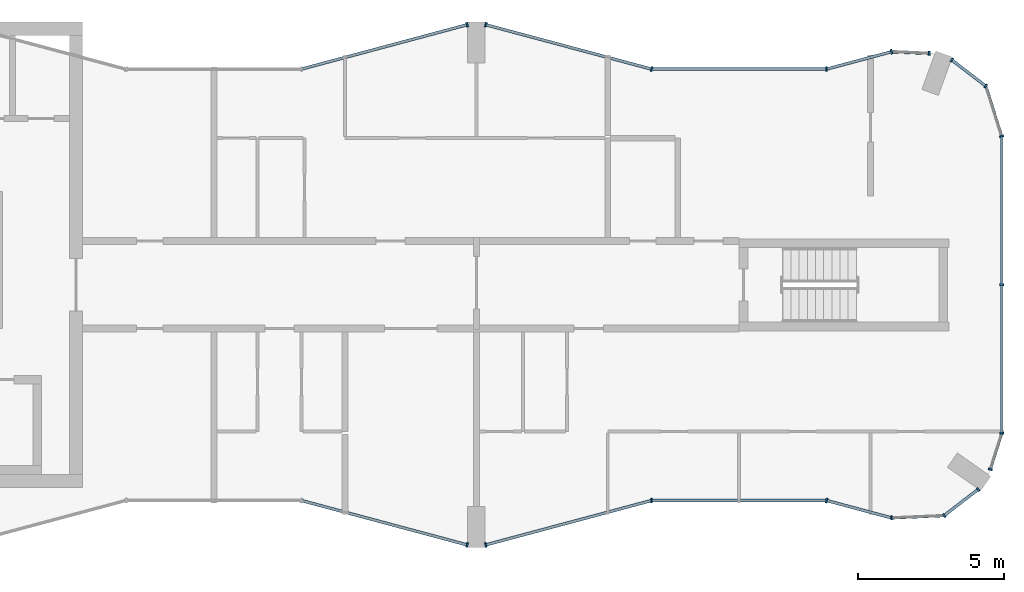
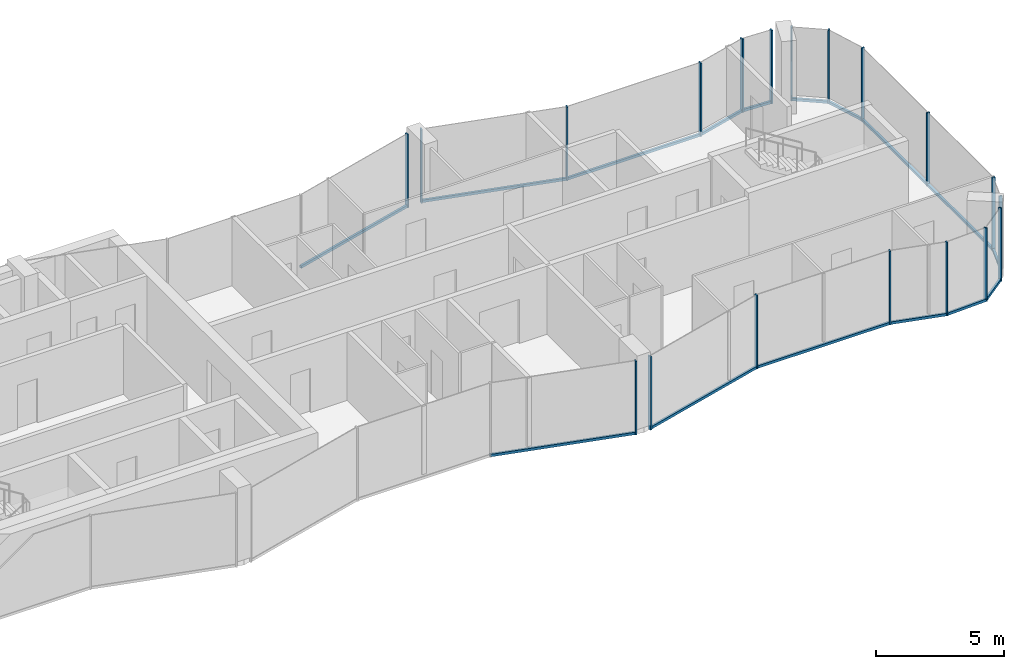
# One storey, part 5 of 10: 34 members, 15 elements without a shape of their own.
"""IFC4 building model written with IfcOpenShell, lengths in metres."""

from ifc_helpers import new_model, si_unit, direction, frame, origin, origin_2d, place, context, subcontext, project, spatial, rectangle, extrude, material, layer, layer_set, material_profile, profile_set, type_object, element, aggregate, save


model = new_model("IFC4")

# Units and contexts
model_context = context("Model", 3, precision=1e-05, world=origin(), true_north=direction((0.0, 1.0)))
body_context = subcontext(model_context, "Body", "Model", "MODEL_VIEW")
ifc_project = project(units=[si_unit("LENGTHUNIT", "METRE"), si_unit("AREAUNIT", "SQUARE_METRE"), si_unit("VOLUMEUNIT", "CUBIC_METRE"), si_unit("PLANEANGLEUNIT", "RADIAN"), si_unit("MASSUNIT", "GRAM", prefix="KILO")], contexts=[model_context])

# Site, building, storey
site_placement = place(None, origin())
site = spatial("IfcSite", under=ifc_project, at=site_placement, CompositionType="ELEMENT")
building_placement = place(site_placement, origin())
building = spatial("IfcBuilding", under=site, at=building_placement, Name="Plateau Cross Towers", CompositionType="ELEMENT")
storey_placement = place(building_placement, frame((0.0, 0.0, 273.89990234375)))
storey = spatial("IfcBuildingStorey", under=building, at=storey_placement, Name="L72", CompositionType="ELEMENT", Elevation=273.89990234375)

# Curtain wall, member
ifc_material_1 = material(Name="Dark low-iron glass", Category="glass")
ifc_layer_1 = layer(ifc_material_1, 0.239990234375)
ifc_layer_set_1 = layer_set([ifc_layer_1], Name="Dark low-iron glass")
curtain_wall_type_1 = type_object("IfcCurtainWallType", Name="Curtain wall flush unitised CW-B", PredefinedType="NOTDEFINED", material=ifc_layer_set_1)
curtain_wall_1_placement = place(storey_placement, origin())
curtain_wall_1 = element("IfcCurtainWall", 1, at=curtain_wall_1_placement, inside=storey, type_object=curtain_wall_type_1, Name="ENV/A/L72/A502_10", PredefinedType="NOTDEFINED")
ifc_material_2 = material(Name="Black anodised aluminium", Category="aluminium")
ifc_material_profile_1 = material_profile(ifc_material_2, rectangle(XDim=0.06005859375, YDim=0.139892578125, at=origin_2d()), Name="MULLION 60x140")
ifc_profile_set_1 = profile_set([ifc_material_profile_1], Name="Black anodised aluminium")
member_type_1 = type_object("IfcMemberType", Name="Mullion 60x140 flush unitised", PredefinedType="MULLION", material=ifc_profile_set_1)
member_1_placement = place(storey_placement, frame((50.223876953125, 1.01123046875, -0.25), z_axis=(0.0, 0.0, 1.0), x_axis=(0.999043701491, 0.043722791671, 0.0)))
member_1 = element("IfcMember", 2, at=member_1_placement, type_object=member_type_1, Name="CW-B mullion 1", PredefinedType="MULLION", context=body_context, shape_type="SweptSolid", body=[
    extrude(rectangle(XDim=0.06005859375, YDim=0.139892578125, at=origin_2d()), origin(), (0.0, 0.0, 1.0), 3.5),
])

# Curtain wall, members
curtain_wall_2_placement = place(storey_placement, origin())
curtain_wall_2 = element("IfcCurtainWall", 3, at=curtain_wall_2_placement, inside=storey, type_object=curtain_wall_type_1, Name="ENV/A/L72/A520_11", PredefinedType="NOTDEFINED")
member_2_placement = place(storey_placement, frame((52.0263671875, 1.090087890625, -0.25), z_axis=(0.0, 0.0, 1.0), x_axis=(0.793315514529, 0.608810721331, 0.0)))
member_2 = element("IfcMember", 4, at=member_2_placement, type_object=member_type_1, Name="CW-B mullion 1", PredefinedType="MULLION", context=body_context, shape_type="SweptSolid", body=[
    extrude(rectangle(XDim=0.06005859375, YDim=0.139892578125, at=origin_2d()), origin(), (0.0, 0.0, 1.0), 3.5),
])
member_3_placement = place(storey_placement, frame((53.193603515625, 1.986083984375, -0.25), z_axis=(0.0, 0.0, 1.0), x_axis=(0.793315514529, 0.608810721331, 0.0)))
member_3 = element("IfcMember", 5, at=member_3_placement, type_object=member_type_1, Name="CW-B mullion 2", PredefinedType="MULLION", context=body_context, shape_type="SweptSolid", body=[
    extrude(rectangle(XDim=0.06005859375, YDim=0.139892578125, at=origin_2d()), origin(), (0.0, 0.0, 1.0), 3.5),
])

# Curtain wall, member
curtain_wall_3_placement = place(storey_placement, origin())
curtain_wall_3 = element("IfcCurtainWall", 6, at=curtain_wall_3_placement, inside=storey, type_object=curtain_wall_type_1, Name="ENV/A/L72/A536_27", PredefinedType="NOTDEFINED")
member_4_placement = place(storey_placement, frame((53.611083984375, 2.67529296875, -0.25), z_axis=(0.0, 0.0, 1.0), x_axis=(0.300686174994, 0.95372313811, 0.0)))
member_4 = element("IfcMember", 7, at=member_4_placement, type_object=member_type_1, Name="CW-B mullion 1", PredefinedType="MULLION", context=body_context, shape_type="SweptSolid", body=[
    extrude(rectangle(XDim=0.06005859375, YDim=0.139892578125, at=origin_2d()), origin(), (0.0, 0.0, 1.0), 3.5),
])

# Curtain wall, members
curtain_wall_4_placement = place(storey_placement, origin())
curtain_wall_4 = element("IfcCurtainWall", 8, at=curtain_wall_4_placement, inside=storey, type_object=curtain_wall_type_1, Name="ENV/A/L72/A540_39", PredefinedType="NOTDEFINED")
member_5_placement = place(storey_placement, frame((54.0, 3.9091796875, -0.25), z_axis=(0.0, 0.0, 1.0), x_axis=(0.0, 1.0, 0.0)))
member_5 = element("IfcMember", 9, at=member_5_placement, type_object=member_type_1, Name="CW-B mullion 1", PredefinedType="MULLION", context=body_context, shape_type="SweptSolid", body=[
    extrude(rectangle(XDim=0.06005859375, YDim=0.139892578125, at=origin_2d()), origin(), (0.0, 0.0, 1.0), 3.5),
])
member_6_placement = place(storey_placement, frame((54.0, 9.0, -0.25), z_axis=(0.0, 0.0, 1.0), x_axis=(0.0, 1.0, 0.0)))
member_6 = element("IfcMember", 10, at=member_6_placement, type_object=member_type_1, Name="CW-B mullion 2", PredefinedType="MULLION", context=body_context, shape_type="SweptSolid", body=[
    extrude(rectangle(XDim=0.06005859375, YDim=0.139892578125, at=origin_2d()), origin(), (0.0, 0.0, 1.0), 3.5),
])

# Curtain wall, member
curtain_wall_5_placement = place(storey_placement, origin())
curtain_wall_5 = element("IfcCurtainWall", 11, at=curtain_wall_5_placement, inside=storey, type_object=curtain_wall_type_1, Name="ENV/A/L72/A540_141", PredefinedType="NOTDEFINED")
member_7_placement = place(storey_placement, frame((54.0, 14.0908203125, -0.25), z_axis=(0.0, 0.0, 1.0), x_axis=(-0.300686174994, 0.95372313811, 0.0)))
member_7 = element("IfcMember", 12, at=member_7_placement, type_object=member_type_1, Name="CW-B mullion 1", PredefinedType="MULLION", context=body_context, shape_type="SweptSolid", body=[
    extrude(rectangle(XDim=0.06005859375, YDim=0.139892578125, at=origin_2d()), origin(), (0.0, 0.0, 1.0), 3.5),
])

# Curtain wall, members
curtain_wall_6_placement = place(storey_placement, origin())
curtain_wall_6 = element("IfcCurtainWall", 13, at=curtain_wall_6_placement, inside=storey, type_object=curtain_wall_type_1, Name="ENV/A/L72/A535_158", PredefinedType="NOTDEFINED")
member_8_placement = place(storey_placement, frame((53.45751953125, 15.8115234375, -0.25), z_axis=(0.0, 0.0, 1.0), x_axis=(-0.793315514529, 0.608810721331, 0.0)))
member_8 = element("IfcMember", 14, at=member_8_placement, type_object=member_type_1, Name="CW-B mullion 1", PredefinedType="MULLION", context=body_context, shape_type="SweptSolid", body=[
    extrude(rectangle(XDim=0.06005859375, YDim=0.139892578125, at=origin_2d()), origin(), (0.0, 0.0, 1.0), 3.5),
])
member_9_placement = place(storey_placement, frame((52.290283203125, 16.707275390625, -0.25), z_axis=(0.0, 0.0, 1.0), x_axis=(-0.793315514529, 0.608810721331, 0.0)))
member_9 = element("IfcMember", 15, at=member_9_placement, type_object=member_type_1, Name="CW-B mullion 2", PredefinedType="MULLION", context=body_context, shape_type="SweptSolid", body=[
    extrude(rectangle(XDim=0.06005859375, YDim=0.139892578125, at=origin_2d()), origin(), (0.0, 0.0, 1.0), 3.5),
])

# Curtain wall, member
curtain_wall_7_placement = place(storey_placement, origin())
curtain_wall_7 = element("IfcCurtainWall", 16, at=curtain_wall_7_placement, inside=storey, type_object=curtain_wall_type_1, Name="ENV/A/L72/A515_169", PredefinedType="NOTDEFINED")
member_10_placement = place(storey_placement, frame((51.516357421875, 16.93212890625, -0.25), z_axis=(0.0, 0.0, 1.0), x_axis=(-0.999043701491, 0.043722791671, 0.0)))
member_10 = element("IfcMember", 17, at=member_10_placement, type_object=member_type_1, Name="CW-B mullion 1", PredefinedType="MULLION", context=body_context, shape_type="SweptSolid", body=[
    extrude(rectangle(XDim=0.06005859375, YDim=0.139892578125, at=origin_2d()), origin(), (0.0, 0.0, 1.0), 3.5),
])

ifc_layer_2 = layer(ifc_material_1, 0.260009765625)
ifc_layer_set_2 = layer_set([ifc_layer_2], Name="Dark low-iron glass")
curtain_wall_type_2 = type_object("IfcCurtainWallType", Name="Curtain wall fluted unitised CW-A", PredefinedType="NOTDEFINED", material=ifc_layer_set_2)
curtain_wall_8_placement = place(storey_placement, origin())
curtain_wall_8 = element("IfcCurtainWall", 18, at=curtain_wall_8_placement, inside=storey, type_object=curtain_wall_type_2, Name="ENV/A/L72/A300_16", PredefinedType="NOTDEFINED")
ifc_material_profile_2 = material_profile(ifc_material_2, rectangle(XDim=0.06005859375, YDim=0.159912109375, at=origin_2d()), Name="MULLION 60x160")
ifc_profile_set_2 = profile_set([ifc_material_profile_2], Name="Black anodised aluminium")
member_type_2 = type_object("IfcMemberType", Name="Mullion 60x160 fluted unitised", PredefinedType="MULLION", material=ifc_profile_set_2)
member_11_placement = place(storey_placement, frame((35.68212890625, 0.085205078125, -0.25), z_axis=(0.0, 0.0, 1.0), x_axis=(0.965957983404, -0.258699003279, 0.0)))
member_11 = element("IfcMember", 19, at=member_11_placement, type_object=member_type_2, Name="CW-A mullion 2", PredefinedType="MULLION", context=body_context, shape_type="SweptSolid", body=[
    extrude(rectangle(XDim=0.06005859375, YDim=0.159912109375, at=origin_2d()), origin(), (0.0, 0.0, 1.0), 3.5),
])

curtain_wall_9_placement = place(storey_placement, origin())
curtain_wall_9 = element("IfcCurtainWall", 20, at=curtain_wall_9_placement, inside=storey, type_object=curtain_wall_type_2, Name="ENV/A/L72/A363_1", PredefinedType="NOTDEFINED")
member_12_placement = place(storey_placement, frame((36.31787109375, 0.085205078125, -0.25), z_axis=(0.0, 0.0, 1.0), x_axis=(0.965957983404, 0.258699003279, 0.0)))
member_12 = element("IfcMember", 21, at=member_12_placement, type_object=member_type_2, Name="CW-A mullion 1", PredefinedType="MULLION", context=body_context, shape_type="SweptSolid", body=[
    extrude(rectangle(XDim=0.06005859375, YDim=0.159912109375, at=origin_2d()), origin(), (0.0, 0.0, 1.0), 3.5),
])

curtain_wall_10_placement = place(storey_placement, origin())
curtain_wall_10 = element("IfcCurtainWall", 22, at=curtain_wall_10_placement, inside=storey, type_object=curtain_wall_type_2, Name="ENV/A/L72/A420_16", PredefinedType="NOTDEFINED")
member_13_placement = place(storey_placement, frame((42.0, 1.60693359375, -0.25), z_axis=(0.0, 0.0, 1.0), x_axis=(1.0, 0.0, 0.0)))
member_13 = element("IfcMember", 23, at=member_13_placement, type_object=member_type_2, Name="CW-A mullion 1", PredefinedType="MULLION", context=body_context, shape_type="SweptSolid", body=[
    extrude(rectangle(XDim=0.06005859375, YDim=0.159912109375, at=origin_2d()), origin(), (0.0, 0.0, 1.0), 3.5),
])

curtain_wall_11_placement = place(storey_placement, origin())
curtain_wall_11 = element("IfcCurtainWall", 24, at=curtain_wall_11_placement, inside=storey, type_object=curtain_wall_type_2, Name="ENV/A/L72/A480_16", PredefinedType="NOTDEFINED")
member_14_placement = place(storey_placement, frame((48.0, 1.60693359375, -0.25), z_axis=(0.0, 0.0, 1.0), x_axis=(0.965957962328, -0.258699081978, 0.0)))
member_14 = element("IfcMember", 25, at=member_14_placement, type_object=member_type_2, Name="CW-A mullion 1", PredefinedType="MULLION", context=body_context, shape_type="SweptSolid", body=[
    extrude(rectangle(XDim=0.06005859375, YDim=0.159912109375, at=origin_2d()), origin(), (0.0, 0.0, 1.0), 3.5),
])

curtain_wall_12_placement = place(storey_placement, origin())
curtain_wall_12 = element("IfcCurtainWall", 26, at=curtain_wall_12_placement, inside=storey, type_object=curtain_wall_type_2, Name="ENV/A/L72/A502_170", PredefinedType="NOTDEFINED")
member_15_placement = place(storey_placement, frame((50.223876953125, 16.98876953125, -0.25), z_axis=(0.0, 0.0, 1.0), x_axis=(-0.965957962328, -0.258699081978, 0.0)))
member_15 = element("IfcMember", 27, at=member_15_placement, type_object=member_type_2, Name="CW-A mullion 1", PredefinedType="MULLION", context=body_context, shape_type="SweptSolid", body=[
    extrude(rectangle(XDim=0.06005859375, YDim=0.159912109375, at=origin_2d()), origin(), (0.0, 0.0, 1.0), 3.5),
])

curtain_wall_13_placement = place(storey_placement, origin())
curtain_wall_13 = element("IfcCurtainWall", 28, at=curtain_wall_13_placement, inside=storey, type_object=curtain_wall_type_2, Name="ENV/A/L72/A480_164", PredefinedType="NOTDEFINED")
member_16_placement = place(storey_placement, frame((48.0, 16.39306640625, -0.25), z_axis=(0.0, 0.0, 1.0), x_axis=(-1.0, 0.0, 0.0)))
member_16 = element("IfcMember", 29, at=member_16_placement, type_object=member_type_2, Name="CW-A mullion 1", PredefinedType="MULLION", context=body_context, shape_type="SweptSolid", body=[
    extrude(rectangle(XDim=0.06005859375, YDim=0.159912109375, at=origin_2d()), origin(), (0.0, 0.0, 1.0), 3.5),
])

# Curtain wall, members
curtain_wall_14_placement = place(storey_placement, origin())
curtain_wall_14 = element("IfcCurtainWall", 30, at=curtain_wall_14_placement, inside=storey, type_object=curtain_wall_type_2, Name="ENV/A/L72/A420_164", PredefinedType="NOTDEFINED")
member_17_placement = place(storey_placement, frame((42.0, 16.39306640625, -0.25), z_axis=(0.0, 0.0, 1.0), x_axis=(-0.965957983404, 0.258699003279, 0.0)))
member_17 = element("IfcMember", 31, at=member_17_placement, type_object=member_type_2, Name="CW-A mullion 1", PredefinedType="MULLION", context=body_context, shape_type="SweptSolid", body=[
    extrude(rectangle(XDim=0.06005859375, YDim=0.159912109375, at=origin_2d()), origin(), (0.0, 0.0, 1.0), 3.5),
])
member_18_placement = place(storey_placement, frame((36.31787109375, 17.914794921875, -0.25), z_axis=(0.0, 0.0, 1.0), x_axis=(-0.965957983404, 0.258699003279, 0.0)))
member_18 = element("IfcMember", 32, at=member_18_placement, type_object=member_type_2, Name="CW-A mullion 2", PredefinedType="MULLION", context=body_context, shape_type="SweptSolid", body=[
    extrude(rectangle(XDim=0.06005859375, YDim=0.159912109375, at=origin_2d()), origin(), (0.0, 0.0, 1.0), 3.5),
])

# Curtain wall, member
curtain_wall_15_placement = place(storey_placement, origin())
curtain_wall_15 = element("IfcCurtainWall", 33, at=curtain_wall_15_placement, inside=storey, type_object=curtain_wall_type_2, Name="ENV/A/L72/A357_179", PredefinedType="NOTDEFINED")
member_19_placement = place(storey_placement, frame((35.68212890625, 17.914794921875, -0.25), z_axis=(0.0, 0.0, 1.0), x_axis=(-0.965957983404, -0.258699003279, 0.0)))
member_19 = element("IfcMember", 34, at=member_19_placement, type_object=member_type_2, Name="CW-A mullion 1", PredefinedType="MULLION", context=body_context, shape_type="SweptSolid", body=[
    extrude(rectangle(XDim=0.06005859375, YDim=0.159912109375, at=origin_2d()), origin(), (0.0, 0.0, 1.0), 3.5),
])

# Member
ifc_material_profile_3 = material_profile(ifc_material_2, rectangle(XDim=0.10009765625, YDim=0.1201171875, at=origin_2d()), Name="TRANSOM 100x120")
ifc_profile_set_3 = profile_set([ifc_material_profile_3], Name="Black anodised aluminium")
member_type_3 = type_object("IfcMemberType", Name="Transom 100x120 flush unitised", PredefinedType="USERDEFINED", material=ifc_profile_set_3)
member_20_placement = place(storey_placement, frame((50.223876953125, 1.01123046875, -0.18994140625), z_axis=(0.999044377355, 0.043707345779, 0.0), x_axis=(-0.043707345779, 0.999044377355, 0.0)))
member_20 = element("IfcMember", 35, at=member_20_placement, type_object=member_type_3, Name="CW-B transom", ObjectType="TRANSOM", PredefinedType="USERDEFINED", context=body_context, shape_type="SweptSolid", body=[
    extrude(rectangle(XDim=0.10009765625, YDim=0.1201171875, at=origin_2d()), origin(), (0.0, 0.0, 1.0), 1.80419921875),
])

aggregate(curtain_wall_1, [member_1, member_20])

member_21_placement = place(storey_placement, frame((52.0263671875, 1.090087890625, -0.18994140625), z_axis=(0.793240368515, 0.608908628415, 0.0), x_axis=(-0.608908628415, 0.793240368515, 0.0)))
member_21 = element("IfcMember", 36, at=member_21_placement, type_object=member_type_3, Name="CW-B transom", ObjectType="TRANSOM", PredefinedType="USERDEFINED", context=body_context, shape_type="SweptSolid", body=[
    extrude(rectangle(XDim=0.10009765625, YDim=0.1201171875, at=origin_2d()), origin(), (0.0, 0.0, 1.0), 1.471435546875),
])

aggregate(curtain_wall_2, [member_2, member_3, member_21])

member_22_placement = place(storey_placement, frame((53.611083984375, 2.67529296875, -0.18994140625), z_axis=(0.300616528216, 0.953745093284, 0.0), x_axis=(-0.953745093284, 0.300616528216, 0.0)))
member_22 = element("IfcMember", 37, at=member_22_placement, type_object=member_type_3, Name="CW-B transom", ObjectType="TRANSOM", PredefinedType="USERDEFINED", context=body_context, shape_type="SweptSolid", body=[
    extrude(rectangle(XDim=0.10009765625, YDim=0.1201171875, at=origin_2d()), origin(), (0.0, 0.0, 1.0), 1.293701171875),
])

aggregate(curtain_wall_3, [member_4, member_22])

member_23_placement = place(storey_placement, frame((54.0, 3.9091796875, -0.18994140625), z_axis=(0.0, 1.0, 0.0), x_axis=(-1.0, 0.0, 0.0)))
member_23 = element("IfcMember", 38, at=member_23_placement, type_object=member_type_3, Name="CW-B transom", ObjectType="TRANSOM", PredefinedType="USERDEFINED", context=body_context, shape_type="SweptSolid", body=[
    extrude(rectangle(XDim=0.10009765625, YDim=0.1201171875, at=origin_2d()), origin(), (0.0, 0.0, 1.0), 10.181640625),
])

aggregate(curtain_wall_4, [member_5, member_6, member_23])

member_24_placement = place(storey_placement, frame((54.0, 14.0908203125, -0.18994140625), z_axis=(-0.30067799945, 0.953725715626, 0.0), x_axis=(-0.953725715626, -0.30067799945, 0.0)))
member_24 = element("IfcMember", 39, at=member_24_placement, type_object=member_type_3, Name="CW-B transom", ObjectType="TRANSOM", PredefinedType="USERDEFINED", context=body_context, shape_type="SweptSolid", body=[
    extrude(rectangle(XDim=0.10009765625, YDim=0.1201171875, at=origin_2d()), origin(), (0.0, 0.0, 1.0), 1.80419921875),
])

aggregate(curtain_wall_5, [member_7, member_24])

member_25_placement = place(storey_placement, frame((53.45751953125, 15.8115234375, -0.18994140625), z_axis=(-0.793320508571, 0.608804213751, 0.0), x_axis=(-0.608804213751, -0.793320508571, 0.0)))
member_25 = element("IfcMember", 40, at=member_25_placement, type_object=member_type_3, Name="CW-B transom", ObjectType="TRANSOM", PredefinedType="USERDEFINED", context=body_context, shape_type="SweptSolid", body=[
    extrude(rectangle(XDim=0.10009765625, YDim=0.1201171875, at=origin_2d()), origin(), (0.0, 0.0, 1.0), 1.471435546875),
])

aggregate(curtain_wall_6, [member_8, member_9, member_25])

member_26_placement = place(storey_placement, frame((51.516357421875, 16.93212890625, -0.18994140625), z_axis=(-0.999041144614, 0.043781175963, 0.0), x_axis=(-0.043781175963, -0.999041144614, 0.0)))
member_26 = element("IfcMember", 41, at=member_26_placement, type_object=member_type_3, Name="CW-B transom", ObjectType="TRANSOM", PredefinedType="USERDEFINED", context=body_context, shape_type="SweptSolid", body=[
    extrude(rectangle(XDim=0.10009765625, YDim=0.1201171875, at=origin_2d()), origin(), (0.0, 0.0, 1.0), 1.293701171875),
])

aggregate(curtain_wall_7, [member_10, member_26])

ifc_material_profile_4 = material_profile(ifc_material_2, rectangle(XDim=0.10009765625, YDim=0.1201171875, at=origin_2d()), Name="TRANSOM 100x120")
ifc_profile_set_4 = profile_set([ifc_material_profile_4], Name="Black anodised aluminium")
member_type_4 = type_object("IfcMemberType", Name="Transom 100x120 fluted unitised", PredefinedType="USERDEFINED", material=ifc_profile_set_4)
member_27_placement = place(storey_placement, frame((30.0, 1.60693359375, -0.18994140625), z_axis=(0.965959534794, -0.258693210465, 0.0), x_axis=(0.258693210465, 0.965959534794, 0.0)))
member_27 = element("IfcMember", 42, at=member_27_placement, type_object=member_type_4, Name="CW-A transom", ObjectType="TRANSOM", PredefinedType="USERDEFINED", context=body_context, shape_type="SweptSolid", body=[
    extrude(rectangle(XDim=0.10009765625, YDim=0.1201171875, at=origin_2d()), origin(), (0.0, 0.0, 1.0), 5.88232421875),
])

aggregate(curtain_wall_8, [member_11, member_27])

member_28_placement = place(storey_placement, frame((36.31787109375, 0.085205078125, -0.18994140625), z_axis=(0.965959534794, 0.258693210465, 0.0), x_axis=(-0.258693210465, 0.965959534794, 0.0)))
member_28 = element("IfcMember", 43, at=member_28_placement, type_object=member_type_4, Name="CW-A transom", ObjectType="TRANSOM", PredefinedType="USERDEFINED", context=body_context, shape_type="SweptSolid", body=[
    extrude(rectangle(XDim=0.10009765625, YDim=0.1201171875, at=origin_2d()), origin(), (0.0, 0.0, 1.0), 5.88232421875),
])

aggregate(curtain_wall_9, [member_12, member_28])

member_29_placement = place(storey_placement, frame((42.0, 1.60693359375, -0.18994140625), z_axis=(1.0, 0.0, 0.0), x_axis=(0.0, 1.0, 0.0)))
member_29 = element("IfcMember", 44, at=member_29_placement, type_object=member_type_4, Name="CW-A transom", ObjectType="TRANSOM", PredefinedType="USERDEFINED", context=body_context, shape_type="SweptSolid", body=[
    extrude(rectangle(XDim=0.10009765625, YDim=0.1201171875, at=origin_2d()), origin(), (0.0, 0.0, 1.0), 6.0),
])

aggregate(curtain_wall_10, [member_13, member_29])

member_30_placement = place(storey_placement, frame((48.0, 1.60693359375, -0.18994140625), z_axis=(0.965945685136, -0.258744919501, 0.0), x_axis=(0.258744919501, 0.965945685136, 0.0)))
member_30 = element("IfcMember", 45, at=member_30_placement, type_object=member_type_4, Name="CW-A transom", ObjectType="TRANSOM", PredefinedType="USERDEFINED", context=body_context, shape_type="SweptSolid", body=[
    extrude(rectangle(XDim=0.10009765625, YDim=0.1201171875, at=origin_2d()), origin(), (0.0, 0.0, 1.0), 2.30224609375),
])

aggregate(curtain_wall_11, [member_14, member_30])

member_31_placement = place(storey_placement, frame((50.223876953125, 16.98876953125, -0.18994140625), z_axis=(-0.965945685136, -0.258744919501, 0.0), x_axis=(0.258744919501, -0.965945685136, 0.0)))
member_31 = element("IfcMember", 46, at=member_31_placement, type_object=member_type_4, Name="CW-A transom", ObjectType="TRANSOM", PredefinedType="USERDEFINED", context=body_context, shape_type="SweptSolid", body=[
    extrude(rectangle(XDim=0.10009765625, YDim=0.1201171875, at=origin_2d()), origin(), (0.0, 0.0, 1.0), 2.30224609375),
])

aggregate(curtain_wall_12, [member_15, member_31])

member_32_placement = place(storey_placement, frame((48.0, 16.39306640625, -0.18994140625), z_axis=(-1.0, 0.0, 0.0), x_axis=(0.0, -1.0, 0.0)))
member_32 = element("IfcMember", 47, at=member_32_placement, type_object=member_type_4, Name="CW-A transom", ObjectType="TRANSOM", PredefinedType="USERDEFINED", context=body_context, shape_type="SweptSolid", body=[
    extrude(rectangle(XDim=0.10009765625, YDim=0.1201171875, at=origin_2d()), origin(), (0.0, 0.0, 1.0), 6.0),
])

aggregate(curtain_wall_13, [member_16, member_32])

member_33_placement = place(storey_placement, frame((42.0, 16.39306640625, -0.18994140625), z_axis=(-0.965959534794, 0.258693210465, 0.0), x_axis=(-0.258693210465, -0.965959534794, 0.0)))
member_33 = element("IfcMember", 48, at=member_33_placement, type_object=member_type_4, Name="CW-A transom", ObjectType="TRANSOM", PredefinedType="USERDEFINED", context=body_context, shape_type="SweptSolid", body=[
    extrude(rectangle(XDim=0.10009765625, YDim=0.1201171875, at=origin_2d()), origin(), (0.0, 0.0, 1.0), 5.88232421875),
])

aggregate(curtain_wall_14, [member_17, member_18, member_33])

member_34_placement = place(storey_placement, frame((35.68212890625, 17.914794921875, -0.18994140625), z_axis=(-0.965959534794, -0.258693210465, 0.0), x_axis=(0.258693210465, -0.965959534794, 0.0)))
member_34 = element("IfcMember", 49, at=member_34_placement, type_object=member_type_4, Name="CW-A transom", ObjectType="TRANSOM", PredefinedType="USERDEFINED", context=body_context, shape_type="SweptSolid", body=[
    extrude(rectangle(XDim=0.10009765625, YDim=0.1201171875, at=origin_2d()), origin(), (0.0, 0.0, 1.0), 5.88232421875),
])

aggregate(curtain_wall_15, [member_19, member_34])

save(model, "model.ifc")
